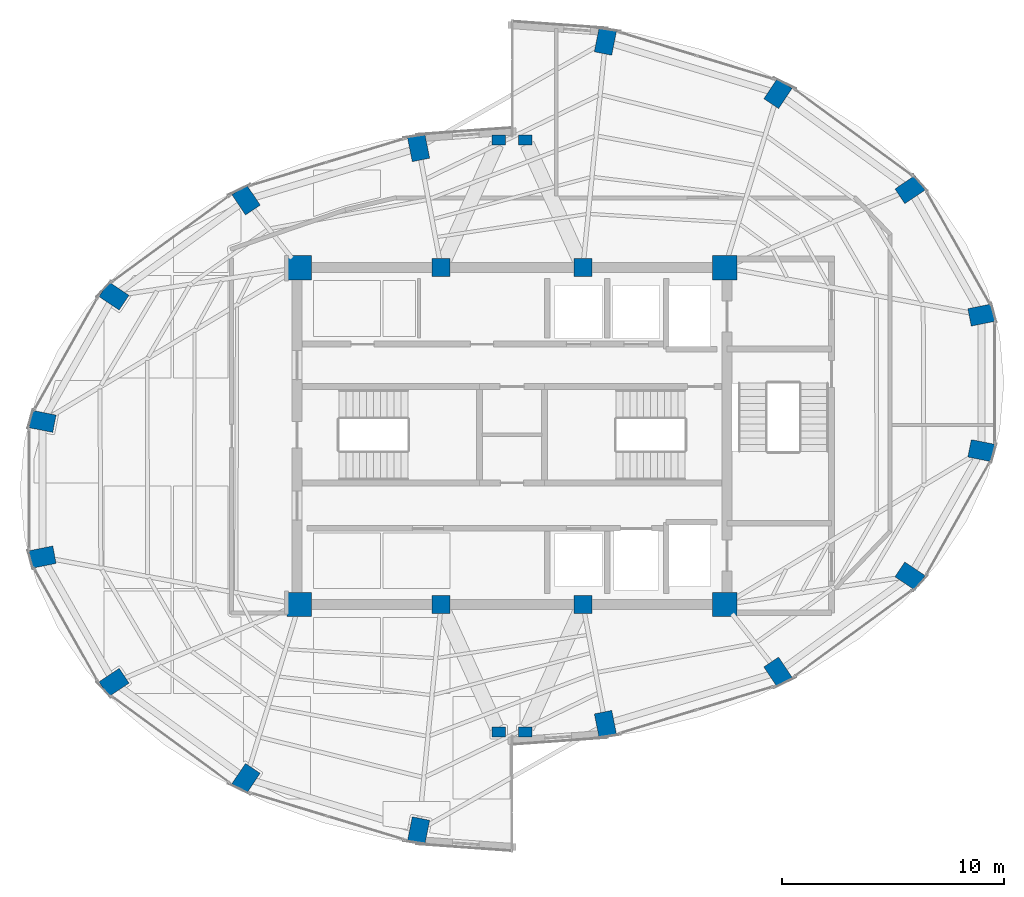
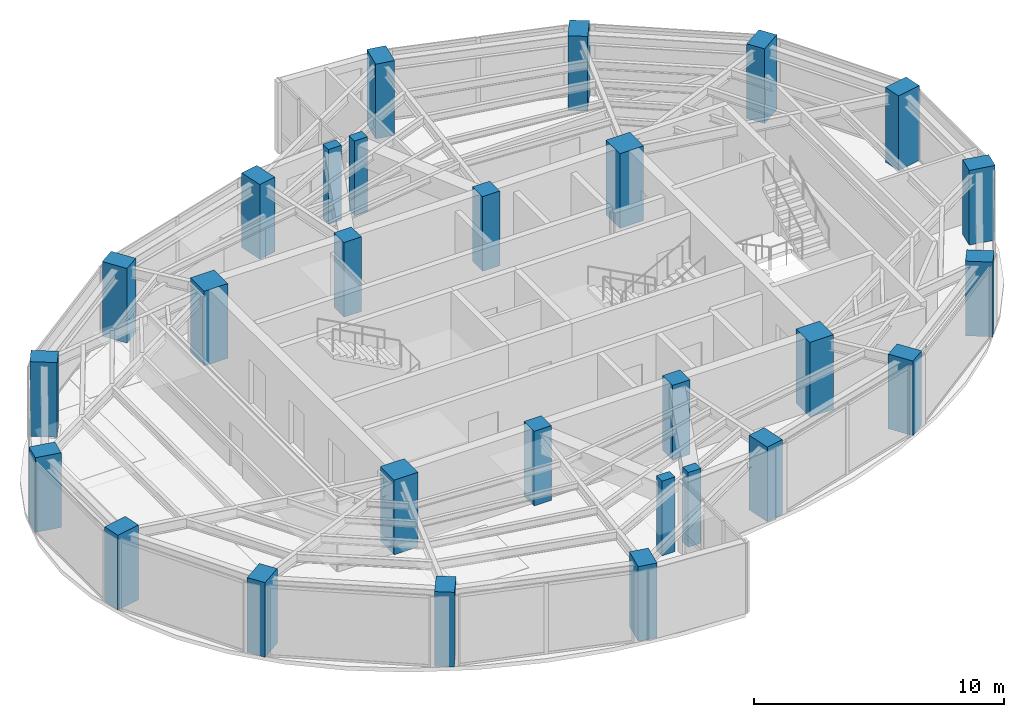
# One storey, part 1 of 22: 28 columns.
"""IFC4 building model written with IfcOpenShell, lengths in metres."""

from ifc_helpers import new_model, si_unit, direction, frame, origin, origin_2d, place, context, subcontext, project, spatial, rectangle, extrude, material, material_profile, profile_set, type_object, element, save


model = new_model("IFC4")

# Units and contexts
model_context = context("Model", 3, precision=1e-05, world=origin(), true_north=direction((0.0, 1.0)))
body_context = subcontext(model_context, "Body", "Model", "MODEL_VIEW")
ifc_project = project(units=[si_unit("LENGTHUNIT", "METRE"), si_unit("AREAUNIT", "SQUARE_METRE"), si_unit("VOLUMEUNIT", "CUBIC_METRE"), si_unit("PLANEANGLEUNIT", "RADIAN"), si_unit("MASSUNIT", "GRAM", prefix="KILO")], contexts=[model_context])

# Site, building, storey
site_placement = place(None, origin())
site = spatial("IfcSite", under=ifc_project, at=site_placement, CompositionType="ELEMENT")
building_placement = place(site_placement, origin())
building = spatial("IfcBuilding", under=site, at=building_placement, Name="Lazwardi Medical Tower", CompositionType="ELEMENT")
storey_placement = place(building_placement, frame((0.0, 0.0, 251.3759765625)))
storey = spatial("IfcBuildingStorey", under=building, at=storey_placement, Name="L65", CompositionType="ELEMENT", Elevation=251.3759765625)

# Columns
ifc_material_1 = material(Name="Concrete C80/95", Category="concrete")
ifc_material_profile_1 = material_profile(ifc_material_1, rectangle(XDim=1.10009765625, YDim=1.10009765625, at=origin_2d()), Name="RC 1100x1100")
ifc_profile_set_1 = profile_set([ifc_material_profile_1], Name="Concrete C80/95")
column_type_1 = type_object("IfcColumnType", Name="COL-CC-L", PredefinedType="COLUMN", material=ifc_profile_set_1)
for number, where, z_axis, x_axis, name in (
    (1, (26.39990234375, 20.39990234375, 0.0), (0.0, 0.0, 1.0), (1.0, 0.0, 0.0), "Core column CC-01 CC1 L65"),
    (2, (45.60009765625, 20.39990234375, 0.0), (0.0, 0.0, 1.0), (1.0, 0.0, 0.0), "Core column CC-01 CC4 L65"),
    (3, (45.60009765625, 35.60009765625, 0.0), (0.0, 0.0, 1.0), (1.0, 0.0, 0.0), "Core column CC-01 CC5 L65"),
    (4, (26.39990234375, 35.60009765625, 0.0), (0.0, 0.0, 1.0), (1.0, 0.0, 0.0), "Core column CC-01 CC8 L65"),
):
    element("IfcColumn", number, at=place(storey_placement, frame(where, z_axis=z_axis, x_axis=x_axis)), inside=storey, type_object=column_type_1, Name=name, PredefinedType="COLUMN", context=body_context, shape_type="SweptSolid", body=[
        extrude(rectangle(XDim=1.10009765625, YDim=1.10009765625, at=origin_2d()), origin(), (0.0, 0.0, 1.0), 3.64794921875),
    ])
ifc_material_2 = material(Name="Concrete C60/75", Category="concrete")
ifc_material_profile_2 = material_profile(ifc_material_2, rectangle(XDim=0.800048828125, YDim=0.800048828125, at=origin_2d()), Name="RC 800x800")
ifc_profile_set_2 = profile_set([ifc_material_profile_2], Name="Concrete C60/75")
column_type_2 = type_object("IfcColumnType", Name="COL-CC-U", PredefinedType="COLUMN", material=ifc_profile_set_2)
for number, where, z_axis, x_axis, name in (
    (5, (32.800048828125, 20.39990234375, 0.0), (0.0, 0.0, 1.0), (1.0, 0.0, 0.0), "Core column CC-03 CC2 L65"),
    (6, (39.199951171875, 20.39990234375, 0.0), (0.0, 0.0, 1.0), (1.0, 0.0, 0.0), "Core column CC-03 CC3 L65"),
    (7, (39.199951171875, 35.60009765625, 0.0), (0.0, 0.0, 1.0), (1.0, 0.0, 0.0), "Core column CC-03 CC6 L65"),
    (8, (32.800048828125, 35.60009765625, 0.0), (0.0, 0.0, 1.0), (1.0, 0.0, 0.0), "Core column CC-03 CC7 L65"),
):
    element("IfcColumn", number, at=place(storey_placement, frame(where, z_axis=z_axis, x_axis=x_axis)), inside=storey, type_object=column_type_2, Name=name, PredefinedType="COLUMN", context=body_context, shape_type="SweptSolid", body=[
        extrude(rectangle(XDim=0.800048828125, YDim=0.800048828125, at=origin_2d()), origin(), (0.0, 0.0, 1.0), 3.64794921875),
    ])
ifc_material_profile_3 = material_profile(ifc_material_2, rectangle(XDim=1.10009765625, YDim=0.800048828125, at=origin_2d()), Name="CFT-RECT 1100x800")
ifc_profile_set_3 = profile_set([ifc_material_profile_3], Name="Concrete C60/75")
column_type_3 = type_object("IfcColumnType", Name="COL-MC-Z4", PredefinedType="COLUMN", material=ifc_profile_set_3)
for number, where, z_axis, x_axis, name in (
    (9, (40.214111328125, 15.001708984375, 0.0), (0.0, 0.0, 1.0), (0.195090322016, -0.980785280403, 0.0), "Mega column MC-06 M01 L65"),
    (10, (48.000244140625, 17.345947265625, 0.0), (0.0, 0.0, 1.0), (0.55557023302, -0.831469612303, 0.0), "Mega column MC-06 M02 L65"),
    (11, (53.959716796875, 21.677490234375, 0.0), (0.0, 0.0, 1.0), (0.831469612303, -0.55557023302, 0.0), "Mega column MC-06 M03 L65"),
    (12, (57.18505859375, 27.337158203125, 0.0), (0.0, 0.0, 1.0), (0.980785280403, -0.195090322016, 0.0), "Mega column MC-06 M04 L65"),
    (13, (57.18505859375, 33.462890625, 0.0), (0.0, 0.0, 1.0), (0.980785280403, 0.195090322016, 0.0), "Mega column MC-06 M05 L65"),
    (14, (53.959716796875, 39.12255859375, 0.0), (0.0, 0.0, 1.0), (0.831469612303, 0.55557023302, 0.0), "Mega column MC-06 M06 L65"),
    (15, (48.000244140625, 43.4541015625, 0.0), (0.0, 0.0, 1.0), (0.55557023302, 0.831469612303, 0.0), "Mega column MC-06 M07 L65"),
    (16, (40.214111328125, 45.79833984375, 0.0), (0.0, 0.0, 1.0), (0.195090322016, 0.980785280403, 0.0), "Mega column MC-06 M08 L65"),
    (17, (31.785888671875, 40.998291015625, 0.0), (0.0, 0.0, 1.0), (-0.195090322016, 0.980785280403, 0.0), "Mega column MC-06 M09 L65"),
    (18, (23.999755859375, 38.654052734375, 0.0), (0.0, 0.0, 1.0), (-0.55557023302, 0.831469612303, 0.0), "Mega column MC-06 M10 L65"),
    (19, (18.040283203125, 34.322509765625, 0.0), (0.0, 0.0, 1.0), (-0.831469612303, 0.55557023302, 0.0), "Mega column MC-06 M11 L65"),
    (20, (14.81494140625, 28.662841796875, 0.0), (0.0, 0.0, 1.0), (-0.980785280403, 0.195090322016, 0.0), "Mega column MC-06 M12 L65"),
    (21, (14.81494140625, 22.537109375, 0.0), (0.0, 0.0, 1.0), (-0.980785280403, -0.195090322016, 0.0), "Mega column MC-06 M13 L65"),
    (22, (18.040283203125, 16.87744140625, 0.0), (0.0, 0.0, 1.0), (-0.831469612303, -0.55557023302, 0.0), "Mega column MC-06 M14 L65"),
    (23, (23.999755859375, 12.5458984375, 0.0), (0.0, 0.0, 1.0), (-0.55557023302, -0.831469612303, 0.0), "Mega column MC-06 M15 L65"),
    (24, (31.785888671875, 10.20166015625, 0.0), (0.0, 0.0, 1.0), (-0.195090322016, -0.980785280403, 0.0), "Mega column MC-06 M16 L65"),
):
    element("IfcColumn", number, at=place(storey_placement, frame(where, z_axis=z_axis, x_axis=x_axis)), inside=storey, type_object=column_type_3, Name=name, PredefinedType="COLUMN", context=body_context, shape_type="SweptSolid", body=[
        extrude(rectangle(XDim=1.10009765625, YDim=0.800048828125, at=origin_2d()), origin(), (0.0, 0.0, 1.0), 3.64794921875),
    ])
ifc_material_profile_4 = material_profile(ifc_material_2, rectangle(XDim=0.60009765625, YDim=0.449951171875, at=origin_2d()), Name="RC 600x450")
ifc_profile_set_4 = profile_set([ifc_material_profile_4], Name="Concrete C60/75")
column_type_4 = type_object("IfcColumnType", Name="COL-PL-IW", PredefinedType="PILASTER", material=ifc_profile_set_4)
for number, where, z_axis, x_axis, name in (
    (25, (35.39990234375, 41.35009765625, 0.0), (0.0, 0.0, 1.0), (1.0, 0.0, 0.0), "Iwan pilaster column PL-C1 PL1 L65"),
    (26, (36.60009765625, 41.35009765625, 0.0), (0.0, 0.0, 1.0), (1.0, 0.0, 0.0), "Iwan pilaster column PL-C1 PL2 L65"),
    (27, (35.39990234375, 14.64990234375, 0.0), (0.0, 0.0, 1.0), (1.0, 0.0, 0.0), "Iwan pilaster column PL-C1 PL3 L65"),
    (28, (36.60009765625, 14.64990234375, 0.0), (0.0, 0.0, 1.0), (1.0, 0.0, 0.0), "Iwan pilaster column PL-C1 PL4 L65"),
):
    element("IfcColumn", number, at=place(storey_placement, frame(where, z_axis=z_axis, x_axis=x_axis)), inside=storey, type_object=column_type_4, Name=name, PredefinedType="PILASTER", context=body_context, shape_type="SweptSolid", body=[
        extrude(rectangle(XDim=0.60009765625, YDim=0.449951171875, at=origin_2d()), origin(), (0.0, 0.0, 1.0), 3.64794921875),
    ])

save(model, "model.ifc")
